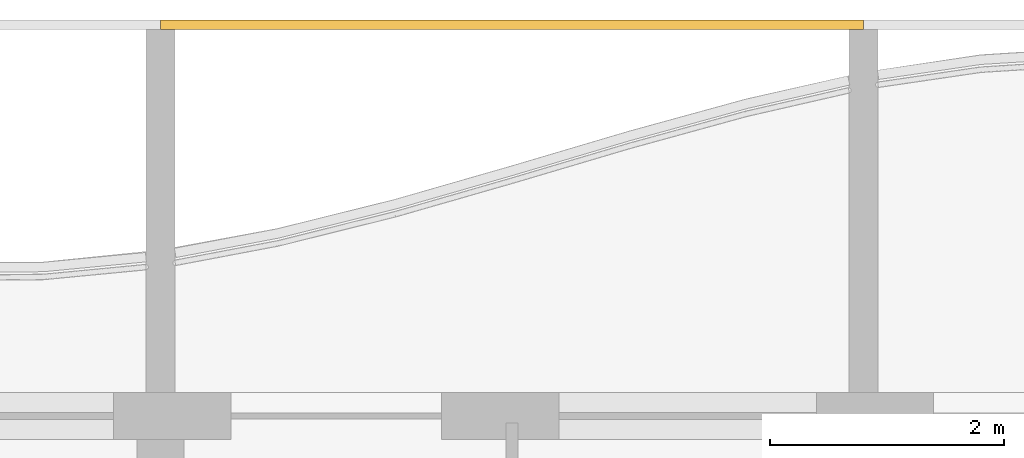
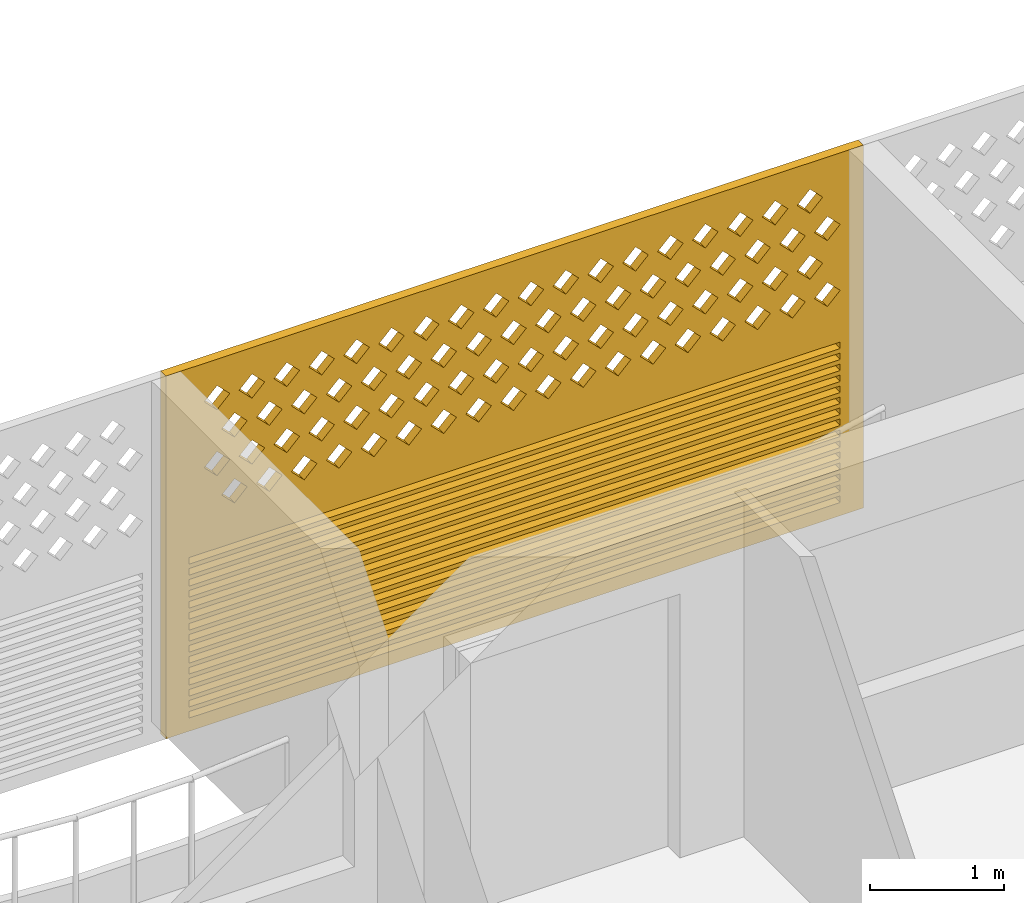
# One storey, part 37 of 39: 1 covering.
"""IFC4 building model written with IfcOpenShell, lengths in metres."""

from ifc_helpers import new_model, si_unit, direction, frame, origin, place, context, subcontext, project, spatial, polyline, outline, extrude, source, transform, mapped, material, material_profile, profile_set, type_object, element, save


model = new_model("IFC4")

# Units and contexts
model_context = context("Model", 3, precision=1e-05, world=origin(), true_north=direction((0.0, 1.0)))
body_context = subcontext(model_context, "Body", "Model", "MODEL_VIEW")
ifc_project = project(units=[si_unit("LENGTHUNIT", "METRE"), si_unit("AREAUNIT", "SQUARE_METRE"), si_unit("VOLUMEUNIT", "CUBIC_METRE"), si_unit("PLANEANGLEUNIT", "RADIAN"), si_unit("MASSUNIT", "GRAM", prefix="KILO")], contexts=[model_context])

# Site, building, storey
site_placement = place(None, origin())
site = spatial("IfcSite", under=ifc_project, at=site_placement, CompositionType="ELEMENT")
building_placement = place(site_placement, origin())
building = spatial("IfcBuilding", under=site, at=building_placement, Name="Poui Terraces", CompositionType="ELEMENT")
storey_placement = place(building_placement, frame((0.0, 0.0, 59.699951171875)))
storey = spatial("IfcBuildingStorey", under=building, at=storey_placement, Name="L16", CompositionType="ELEMENT", Elevation=59.699951171875)

# Covering
ifc_material = material(Name="Terracotta screen", Category="masonry")
ifc_material_profile = material_profile(ifc_material, outline(polyline([(-3.0, -1.64990234375), (3.0, -1.64990234375), (3.0, 1.64990234375), (-3.0, 1.64990234375), (-3.0, -1.64990234375)]), holes=[polyline([(-2.800048828125, 0.39990234375), (-2.68994140625, 0.2900390625), (-2.580078125, 0.39990234375), (-2.68994140625, 0.510009765625), (-2.800048828125, 0.39990234375)]), polyline([(-2.5, 0.39990234375), (-2.389892578125, 0.2900390625), (-2.280029296875, 0.39990234375), (-2.389892578125, 0.510009765625), (-2.5, 0.39990234375)]), polyline([(-2.199951171875, 0.39990234375), (-2.090087890625, 0.2900390625), (-1.97998046875, 0.39990234375), (-2.090087890625, 0.510009765625), (-2.199951171875, 0.39990234375)]), polyline([(-1.89990234375, 0.39990234375), (-1.7900390625, 0.2900390625), (-1.679931640625, 0.39990234375), (-1.7900390625, 0.510009765625), (-1.89990234375, 0.39990234375)]), polyline([(-1.60009765625, 0.39990234375), (-1.489990234375, 0.2900390625), (-1.3798828125, 0.39990234375), (-1.489990234375, 0.510009765625), (-1.60009765625, 0.39990234375)]), polyline([(-1.300048828125, 0.39990234375), (-1.18994140625, 0.2900390625), (-1.080078125, 0.39990234375), (-1.18994140625, 0.510009765625), (-1.300048828125, 0.39990234375)]), polyline([(-1.0, 0.39990234375), (-0.889892578125, 0.2900390625), (-0.780029296875, 0.39990234375), (-0.889892578125, 0.510009765625), (-1.0, 0.39990234375)]), polyline([(-0.699951171875, 0.39990234375), (-0.590087890625, 0.2900390625), (-0.47998046875, 0.39990234375), (-0.590087890625, 0.510009765625), (-0.699951171875, 0.39990234375)]), polyline([(-0.39990234375, 0.39990234375), (-0.2900390625, 0.2900390625), (-0.179931640625, 0.39990234375), (-0.2900390625, 0.510009765625), (-0.39990234375, 0.39990234375)]), polyline([(-0.10009765625, 0.39990234375), (0.010009765625, 0.2900390625), (0.1201171875, 0.39990234375), (0.010009765625, 0.510009765625), (-0.10009765625, 0.39990234375)]), polyline([(0.199951171875, 0.39990234375), (0.31005859375, 0.2900390625), (0.419921875, 0.39990234375), (0.31005859375, 0.510009765625), (0.199951171875, 0.39990234375)]), polyline([(0.5, 0.39990234375), (0.610107421875, 0.2900390625), (0.719970703125, 0.39990234375), (0.610107421875, 0.510009765625), (0.5, 0.39990234375)]), polyline([(0.800048828125, 0.39990234375), (0.909912109375, 0.2900390625), (1.02001953125, 0.39990234375), (0.909912109375, 0.510009765625), (0.800048828125, 0.39990234375)]), polyline([(1.10009765625, 0.39990234375), (1.2099609375, 0.2900390625), (1.320068359375, 0.39990234375), (1.2099609375, 0.510009765625), (1.10009765625, 0.39990234375)]), polyline([(1.39990234375, 0.39990234375), (1.510009765625, 0.2900390625), (1.6201171875, 0.39990234375), (1.510009765625, 0.510009765625), (1.39990234375, 0.39990234375)]), polyline([(1.699951171875, 0.39990234375), (1.81005859375, 0.2900390625), (1.919921875, 0.39990234375), (1.81005859375, 0.510009765625), (1.699951171875, 0.39990234375)]), polyline([(2.0, 0.39990234375), (2.110107421875, 0.2900390625), (2.219970703125, 0.39990234375), (2.110107421875, 0.510009765625), (2.0, 0.39990234375)]), polyline([(2.300048828125, 0.39990234375), (2.409912109375, 0.2900390625), (2.52001953125, 0.39990234375), (2.409912109375, 0.510009765625), (2.300048828125, 0.39990234375)]), polyline([(-2.64990234375, 0.699951171875), (-2.5400390625, 0.590087890625), (-2.429931640625, 0.699951171875), (-2.5400390625, 0.81005859375), (-2.64990234375, 0.699951171875)]), polyline([(-2.35009765625, 0.699951171875), (-2.239990234375, 0.590087890625), (-2.1298828125, 0.699951171875), (-2.239990234375, 0.81005859375), (-2.35009765625, 0.699951171875)]), polyline([(-2.050048828125, 0.699951171875), (-1.93994140625, 0.590087890625), (-1.830078125, 0.699951171875), (-1.93994140625, 0.81005859375), (-2.050048828125, 0.699951171875)]), polyline([(-1.75, 0.699951171875), (-1.639892578125, 0.590087890625), (-1.530029296875, 0.699951171875), (-1.639892578125, 0.81005859375), (-1.75, 0.699951171875)]), polyline([(-1.449951171875, 0.699951171875), (-1.340087890625, 0.590087890625), (-1.22998046875, 0.699951171875), (-1.340087890625, 0.81005859375), (-1.449951171875, 0.699951171875)]), polyline([(-1.14990234375, 0.699951171875), (-1.0400390625, 0.590087890625), (-0.929931640625, 0.699951171875), (-1.0400390625, 0.81005859375), (-1.14990234375, 0.699951171875)]), polyline([(-0.85009765625, 0.699951171875), (-0.739990234375, 0.590087890625), (-0.6298828125, 0.699951171875), (-0.739990234375, 0.81005859375), (-0.85009765625, 0.699951171875)]), polyline([(-0.550048828125, 0.699951171875), (-0.43994140625, 0.590087890625), (-0.330078125, 0.699951171875), (-0.43994140625, 0.81005859375), (-0.550048828125, 0.699951171875)]), polyline([(-0.25, 0.699951171875), (-0.139892578125, 0.590087890625), (-0.030029296875, 0.699951171875), (-0.139892578125, 0.81005859375), (-0.25, 0.699951171875)]), polyline([(0.050048828125, 0.699951171875), (0.159912109375, 0.590087890625), (0.27001953125, 0.699951171875), (0.159912109375, 0.81005859375), (0.050048828125, 0.699951171875)]), polyline([(0.35009765625, 0.699951171875), (0.4599609375, 0.590087890625), (0.570068359375, 0.699951171875), (0.4599609375, 0.81005859375), (0.35009765625, 0.699951171875)]), polyline([(0.64990234375, 0.699951171875), (0.760009765625, 0.590087890625), (0.8701171875, 0.699951171875), (0.760009765625, 0.81005859375), (0.64990234375, 0.699951171875)]), polyline([(0.949951171875, 0.699951171875), (1.06005859375, 0.590087890625), (1.169921875, 0.699951171875), (1.06005859375, 0.81005859375), (0.949951171875, 0.699951171875)]), polyline([(1.25, 0.699951171875), (1.360107421875, 0.590087890625), (1.469970703125, 0.699951171875), (1.360107421875, 0.81005859375), (1.25, 0.699951171875)]), polyline([(1.550048828125, 0.699951171875), (1.659912109375, 0.590087890625), (1.77001953125, 0.699951171875), (1.659912109375, 0.81005859375), (1.550048828125, 0.699951171875)]), polyline([(1.85009765625, 0.699951171875), (1.9599609375, 0.590087890625), (2.070068359375, 0.699951171875), (1.9599609375, 0.81005859375), (1.85009765625, 0.699951171875)]), polyline([(2.14990234375, 0.699951171875), (2.260009765625, 0.590087890625), (2.3701171875, 0.699951171875), (2.260009765625, 0.81005859375), (2.14990234375, 0.699951171875)]), polyline([(2.449951171875, 0.699951171875), (2.56005859375, 0.590087890625), (2.669921875, 0.699951171875), (2.56005859375, 0.81005859375), (2.449951171875, 0.699951171875)]), polyline([(-2.800048828125, 1.0), (-2.68994140625, 0.889892578125), (-2.580078125, 1.0), (-2.68994140625, 1.110107421875), (-2.800048828125, 1.0)]), polyline([(-2.5, 1.0), (-2.389892578125, 0.889892578125), (-2.280029296875, 1.0), (-2.389892578125, 1.110107421875), (-2.5, 1.0)]), polyline([(-2.199951171875, 1.0), (-2.090087890625, 0.889892578125), (-1.97998046875, 1.0), (-2.090087890625, 1.110107421875), (-2.199951171875, 1.0)]), polyline([(-1.89990234375, 1.0), (-1.7900390625, 0.889892578125), (-1.679931640625, 1.0), (-1.7900390625, 1.110107421875), (-1.89990234375, 1.0)]), polyline([(-1.60009765625, 1.0), (-1.489990234375, 0.889892578125), (-1.3798828125, 1.0), (-1.489990234375, 1.110107421875), (-1.60009765625, 1.0)]), polyline([(-1.300048828125, 1.0), (-1.18994140625, 0.889892578125), (-1.080078125, 1.0), (-1.18994140625, 1.110107421875), (-1.300048828125, 1.0)]), polyline([(-1.0, 1.0), (-0.889892578125, 0.889892578125), (-0.780029296875, 1.0), (-0.889892578125, 1.110107421875), (-1.0, 1.0)]), polyline([(-0.699951171875, 1.0), (-0.590087890625, 0.889892578125), (-0.47998046875, 1.0), (-0.590087890625, 1.110107421875), (-0.699951171875, 1.0)]), polyline([(-0.39990234375, 1.0), (-0.2900390625, 0.889892578125), (-0.179931640625, 1.0), (-0.2900390625, 1.110107421875), (-0.39990234375, 1.0)]), polyline([(-0.10009765625, 1.0), (0.010009765625, 0.889892578125), (0.1201171875, 1.0), (0.010009765625, 1.110107421875), (-0.10009765625, 1.0)]), polyline([(0.199951171875, 1.0), (0.31005859375, 0.889892578125), (0.419921875, 1.0), (0.31005859375, 1.110107421875), (0.199951171875, 1.0)]), polyline([(0.5, 1.0), (0.610107421875, 0.889892578125), (0.719970703125, 1.0), (0.610107421875, 1.110107421875), (0.5, 1.0)]), polyline([(0.800048828125, 1.0), (0.909912109375, 0.889892578125), (1.02001953125, 1.0), (0.909912109375, 1.110107421875), (0.800048828125, 1.0)]), polyline([(1.10009765625, 1.0), (1.2099609375, 0.889892578125), (1.320068359375, 1.0), (1.2099609375, 1.110107421875), (1.10009765625, 1.0)]), polyline([(1.39990234375, 1.0), (1.510009765625, 0.889892578125), (1.6201171875, 1.0), (1.510009765625, 1.110107421875), (1.39990234375, 1.0)]), polyline([(1.699951171875, 1.0), (1.81005859375, 0.889892578125), (1.919921875, 1.0), (1.81005859375, 1.110107421875), (1.699951171875, 1.0)]), polyline([(2.0, 1.0), (2.110107421875, 0.889892578125), (2.219970703125, 1.0), (2.110107421875, 1.110107421875), (2.0, 1.0)]), polyline([(2.300048828125, 1.0), (2.409912109375, 0.889892578125), (2.52001953125, 1.0), (2.409912109375, 1.110107421875), (2.300048828125, 1.0)]), polyline([(-2.64990234375, 1.300048828125), (-2.5400390625, 1.18994140625), (-2.429931640625, 1.300048828125), (-2.5400390625, 1.409912109375), (-2.64990234375, 1.300048828125)]), polyline([(-2.35009765625, 1.300048828125), (-2.239990234375, 1.18994140625), (-2.1298828125, 1.300048828125), (-2.239990234375, 1.409912109375), (-2.35009765625, 1.300048828125)]), polyline([(-2.050048828125, 1.300048828125), (-1.93994140625, 1.18994140625), (-1.830078125, 1.300048828125), (-1.93994140625, 1.409912109375), (-2.050048828125, 1.300048828125)]), polyline([(-1.75, 1.300048828125), (-1.639892578125, 1.18994140625), (-1.530029296875, 1.300048828125), (-1.639892578125, 1.409912109375), (-1.75, 1.300048828125)]), polyline([(-1.449951171875, 1.300048828125), (-1.340087890625, 1.18994140625), (-1.22998046875, 1.300048828125), (-1.340087890625, 1.409912109375), (-1.449951171875, 1.300048828125)]), polyline([(-1.14990234375, 1.300048828125), (-1.0400390625, 1.18994140625), (-0.929931640625, 1.300048828125), (-1.0400390625, 1.409912109375), (-1.14990234375, 1.300048828125)]), polyline([(-0.85009765625, 1.300048828125), (-0.739990234375, 1.18994140625), (-0.6298828125, 1.300048828125), (-0.739990234375, 1.409912109375), (-0.85009765625, 1.300048828125)]), polyline([(-0.550048828125, 1.300048828125), (-0.43994140625, 1.18994140625), (-0.330078125, 1.300048828125), (-0.43994140625, 1.409912109375), (-0.550048828125, 1.300048828125)]), polyline([(-0.25, 1.300048828125), (-0.139892578125, 1.18994140625), (-0.030029296875, 1.300048828125), (-0.139892578125, 1.409912109375), (-0.25, 1.300048828125)]), polyline([(0.050048828125, 1.300048828125), (0.159912109375, 1.18994140625), (0.27001953125, 1.300048828125), (0.159912109375, 1.409912109375), (0.050048828125, 1.300048828125)]), polyline([(0.35009765625, 1.300048828125), (0.4599609375, 1.18994140625), (0.570068359375, 1.300048828125), (0.4599609375, 1.409912109375), (0.35009765625, 1.300048828125)]), polyline([(0.64990234375, 1.300048828125), (0.760009765625, 1.18994140625), (0.8701171875, 1.300048828125), (0.760009765625, 1.409912109375), (0.64990234375, 1.300048828125)]), polyline([(0.949951171875, 1.300048828125), (1.06005859375, 1.18994140625), (1.169921875, 1.300048828125), (1.06005859375, 1.409912109375), (0.949951171875, 1.300048828125)]), polyline([(1.25, 1.300048828125), (1.360107421875, 1.18994140625), (1.469970703125, 1.300048828125), (1.360107421875, 1.409912109375), (1.25, 1.300048828125)]), polyline([(1.550048828125, 1.300048828125), (1.659912109375, 1.18994140625), (1.77001953125, 1.300048828125), (1.659912109375, 1.409912109375), (1.550048828125, 1.300048828125)]), polyline([(1.85009765625, 1.300048828125), (1.9599609375, 1.18994140625), (2.070068359375, 1.300048828125), (1.9599609375, 1.409912109375), (1.85009765625, 1.300048828125)]), polyline([(2.14990234375, 1.300048828125), (2.260009765625, 1.18994140625), (2.3701171875, 1.300048828125), (2.260009765625, 1.409912109375), (2.14990234375, 1.300048828125)]), polyline([(2.449951171875, 1.300048828125), (2.56005859375, 1.18994140625), (2.669921875, 1.300048828125), (2.56005859375, 1.409912109375), (2.449951171875, 1.300048828125)]), polyline([(-2.800048828125, -1.530029296875), (2.800048828125, -1.530029296875), (2.800048828125, -1.469970703125), (-2.800048828125, -1.469970703125), (-2.800048828125, -1.530029296875)]), polyline([(-2.800048828125, -1.429931640625), (2.800048828125, -1.429931640625), (2.800048828125, -1.3701171875), (-2.800048828125, -1.3701171875), (-2.800048828125, -1.429931640625)]), polyline([(-2.800048828125, -1.330078125), (2.800048828125, -1.330078125), (2.800048828125, -1.27001953125), (-2.800048828125, -1.27001953125), (-2.800048828125, -1.330078125)]), polyline([(-2.800048828125, -1.22998046875), (2.800048828125, -1.22998046875), (2.800048828125, -1.169921875), (-2.800048828125, -1.169921875), (-2.800048828125, -1.22998046875)]), polyline([(-2.800048828125, -1.1298828125), (2.800048828125, -1.1298828125), (2.800048828125, -1.070068359375), (-2.800048828125, -1.070068359375), (-2.800048828125, -1.1298828125)]), polyline([(-2.800048828125, -1.030029296875), (2.800048828125, -1.030029296875), (2.800048828125, -0.969970703125), (-2.800048828125, -0.969970703125), (-2.800048828125, -1.030029296875)]), polyline([(-2.800048828125, -0.929931640625), (2.800048828125, -0.929931640625), (2.800048828125, -0.8701171875), (-2.800048828125, -0.8701171875), (-2.800048828125, -0.929931640625)]), polyline([(-2.800048828125, -0.830078125), (2.800048828125, -0.830078125), (2.800048828125, -0.77001953125), (-2.800048828125, -0.77001953125), (-2.800048828125, -0.830078125)]), polyline([(-2.800048828125, -0.72998046875), (2.800048828125, -0.72998046875), (2.800048828125, -0.669921875), (-2.800048828125, -0.669921875), (-2.800048828125, -0.72998046875)]), polyline([(-2.800048828125, -0.6298828125), (2.800048828125, -0.6298828125), (2.800048828125, -0.570068359375), (-2.800048828125, -0.570068359375), (-2.800048828125, -0.6298828125)]), polyline([(-2.800048828125, -0.530029296875), (2.800048828125, -0.530029296875), (2.800048828125, -0.469970703125), (-2.800048828125, -0.469970703125), (-2.800048828125, -0.530029296875)]), polyline([(-2.800048828125, -0.429931640625), (2.800048828125, -0.429931640625), (2.800048828125, -0.3701171875), (-2.800048828125, -0.3701171875), (-2.800048828125, -0.429931640625)]), polyline([(-2.800048828125, -0.330078125), (2.800048828125, -0.330078125), (2.800048828125, -0.27001953125), (-2.800048828125, -0.27001953125), (-2.800048828125, -0.330078125)]), polyline([(-2.800048828125, -0.22998046875), (2.800048828125, -0.22998046875), (2.800048828125, -0.169921875), (-2.800048828125, -0.169921875), (-2.800048828125, -0.22998046875)]), polyline([(-2.800048828125, -0.1298828125), (2.800048828125, -0.1298828125), (2.800048828125, -0.070068359375), (-2.800048828125, -0.070068359375), (-2.800048828125, -0.1298828125)])]), Name="TERRACOTTA SCREEN AND JALOUSIE LOUVRE 6000X3300")
ifc_profile_set = profile_set([ifc_material_profile], Name="Terracotta screen")
covering_type = type_object("IfcCoveringType", Name="TERRACOTTA SCREEN AND JALOUSIE LOUVRE 6000X3300", PredefinedType="CLADDING", material=ifc_profile_set)
shared_shape = source(origin(), body_context, "Body", "SweptSolid", [
    extrude(outline(polyline([(-3.0, -1.64990234375), (3.0, -1.64990234375), (3.0, 1.64990234375), (-3.0, 1.64990234375), (-3.0, -1.64990234375)]), holes=[polyline([(-2.800048828125, 0.39990234375), (-2.68994140625, 0.2900390625), (-2.580078125, 0.39990234375), (-2.68994140625, 0.510009765625), (-2.800048828125, 0.39990234375)]), polyline([(-2.5, 0.39990234375), (-2.389892578125, 0.2900390625), (-2.280029296875, 0.39990234375), (-2.389892578125, 0.510009765625), (-2.5, 0.39990234375)]), polyline([(-2.199951171875, 0.39990234375), (-2.090087890625, 0.2900390625), (-1.97998046875, 0.39990234375), (-2.090087890625, 0.510009765625), (-2.199951171875, 0.39990234375)]), polyline([(-1.89990234375, 0.39990234375), (-1.7900390625, 0.2900390625), (-1.679931640625, 0.39990234375), (-1.7900390625, 0.510009765625), (-1.89990234375, 0.39990234375)]), polyline([(-1.60009765625, 0.39990234375), (-1.489990234375, 0.2900390625), (-1.3798828125, 0.39990234375), (-1.489990234375, 0.510009765625), (-1.60009765625, 0.39990234375)]), polyline([(-1.300048828125, 0.39990234375), (-1.18994140625, 0.2900390625), (-1.080078125, 0.39990234375), (-1.18994140625, 0.510009765625), (-1.300048828125, 0.39990234375)]), polyline([(-1.0, 0.39990234375), (-0.889892578125, 0.2900390625), (-0.780029296875, 0.39990234375), (-0.889892578125, 0.510009765625), (-1.0, 0.39990234375)]), polyline([(-0.699951171875, 0.39990234375), (-0.590087890625, 0.2900390625), (-0.47998046875, 0.39990234375), (-0.590087890625, 0.510009765625), (-0.699951171875, 0.39990234375)]), polyline([(-0.39990234375, 0.39990234375), (-0.2900390625, 0.2900390625), (-0.179931640625, 0.39990234375), (-0.2900390625, 0.510009765625), (-0.39990234375, 0.39990234375)]), polyline([(-0.10009765625, 0.39990234375), (0.010009765625, 0.2900390625), (0.1201171875, 0.39990234375), (0.010009765625, 0.510009765625), (-0.10009765625, 0.39990234375)]), polyline([(0.199951171875, 0.39990234375), (0.31005859375, 0.2900390625), (0.419921875, 0.39990234375), (0.31005859375, 0.510009765625), (0.199951171875, 0.39990234375)]), polyline([(0.5, 0.39990234375), (0.610107421875, 0.2900390625), (0.719970703125, 0.39990234375), (0.610107421875, 0.510009765625), (0.5, 0.39990234375)]), polyline([(0.800048828125, 0.39990234375), (0.909912109375, 0.2900390625), (1.02001953125, 0.39990234375), (0.909912109375, 0.510009765625), (0.800048828125, 0.39990234375)]), polyline([(1.10009765625, 0.39990234375), (1.2099609375, 0.2900390625), (1.320068359375, 0.39990234375), (1.2099609375, 0.510009765625), (1.10009765625, 0.39990234375)]), polyline([(1.39990234375, 0.39990234375), (1.510009765625, 0.2900390625), (1.6201171875, 0.39990234375), (1.510009765625, 0.510009765625), (1.39990234375, 0.39990234375)]), polyline([(1.699951171875, 0.39990234375), (1.81005859375, 0.2900390625), (1.919921875, 0.39990234375), (1.81005859375, 0.510009765625), (1.699951171875, 0.39990234375)]), polyline([(2.0, 0.39990234375), (2.110107421875, 0.2900390625), (2.219970703125, 0.39990234375), (2.110107421875, 0.510009765625), (2.0, 0.39990234375)]), polyline([(2.300048828125, 0.39990234375), (2.409912109375, 0.2900390625), (2.52001953125, 0.39990234375), (2.409912109375, 0.510009765625), (2.300048828125, 0.39990234375)]), polyline([(-2.64990234375, 0.699951171875), (-2.5400390625, 0.590087890625), (-2.429931640625, 0.699951171875), (-2.5400390625, 0.81005859375), (-2.64990234375, 0.699951171875)]), polyline([(-2.35009765625, 0.699951171875), (-2.239990234375, 0.590087890625), (-2.1298828125, 0.699951171875), (-2.239990234375, 0.81005859375), (-2.35009765625, 0.699951171875)]), polyline([(-2.050048828125, 0.699951171875), (-1.93994140625, 0.590087890625), (-1.830078125, 0.699951171875), (-1.93994140625, 0.81005859375), (-2.050048828125, 0.699951171875)]), polyline([(-1.75, 0.699951171875), (-1.639892578125, 0.590087890625), (-1.530029296875, 0.699951171875), (-1.639892578125, 0.81005859375), (-1.75, 0.699951171875)]), polyline([(-1.449951171875, 0.699951171875), (-1.340087890625, 0.590087890625), (-1.22998046875, 0.699951171875), (-1.340087890625, 0.81005859375), (-1.449951171875, 0.699951171875)]), polyline([(-1.14990234375, 0.699951171875), (-1.0400390625, 0.590087890625), (-0.929931640625, 0.699951171875), (-1.0400390625, 0.81005859375), (-1.14990234375, 0.699951171875)]), polyline([(-0.85009765625, 0.699951171875), (-0.739990234375, 0.590087890625), (-0.6298828125, 0.699951171875), (-0.739990234375, 0.81005859375), (-0.85009765625, 0.699951171875)]), polyline([(-0.550048828125, 0.699951171875), (-0.43994140625, 0.590087890625), (-0.330078125, 0.699951171875), (-0.43994140625, 0.81005859375), (-0.550048828125, 0.699951171875)]), polyline([(-0.25, 0.699951171875), (-0.139892578125, 0.590087890625), (-0.030029296875, 0.699951171875), (-0.139892578125, 0.81005859375), (-0.25, 0.699951171875)]), polyline([(0.050048828125, 0.699951171875), (0.159912109375, 0.590087890625), (0.27001953125, 0.699951171875), (0.159912109375, 0.81005859375), (0.050048828125, 0.699951171875)]), polyline([(0.35009765625, 0.699951171875), (0.4599609375, 0.590087890625), (0.570068359375, 0.699951171875), (0.4599609375, 0.81005859375), (0.35009765625, 0.699951171875)]), polyline([(0.64990234375, 0.699951171875), (0.760009765625, 0.590087890625), (0.8701171875, 0.699951171875), (0.760009765625, 0.81005859375), (0.64990234375, 0.699951171875)]), polyline([(0.949951171875, 0.699951171875), (1.06005859375, 0.590087890625), (1.169921875, 0.699951171875), (1.06005859375, 0.81005859375), (0.949951171875, 0.699951171875)]), polyline([(1.25, 0.699951171875), (1.360107421875, 0.590087890625), (1.469970703125, 0.699951171875), (1.360107421875, 0.81005859375), (1.25, 0.699951171875)]), polyline([(1.550048828125, 0.699951171875), (1.659912109375, 0.590087890625), (1.77001953125, 0.699951171875), (1.659912109375, 0.81005859375), (1.550048828125, 0.699951171875)]), polyline([(1.85009765625, 0.699951171875), (1.9599609375, 0.590087890625), (2.070068359375, 0.699951171875), (1.9599609375, 0.81005859375), (1.85009765625, 0.699951171875)]), polyline([(2.14990234375, 0.699951171875), (2.260009765625, 0.590087890625), (2.3701171875, 0.699951171875), (2.260009765625, 0.81005859375), (2.14990234375, 0.699951171875)]), polyline([(2.449951171875, 0.699951171875), (2.56005859375, 0.590087890625), (2.669921875, 0.699951171875), (2.56005859375, 0.81005859375), (2.449951171875, 0.699951171875)]), polyline([(-2.800048828125, 1.0), (-2.68994140625, 0.889892578125), (-2.580078125, 1.0), (-2.68994140625, 1.110107421875), (-2.800048828125, 1.0)]), polyline([(-2.5, 1.0), (-2.389892578125, 0.889892578125), (-2.280029296875, 1.0), (-2.389892578125, 1.110107421875), (-2.5, 1.0)]), polyline([(-2.199951171875, 1.0), (-2.090087890625, 0.889892578125), (-1.97998046875, 1.0), (-2.090087890625, 1.110107421875), (-2.199951171875, 1.0)]), polyline([(-1.89990234375, 1.0), (-1.7900390625, 0.889892578125), (-1.679931640625, 1.0), (-1.7900390625, 1.110107421875), (-1.89990234375, 1.0)]), polyline([(-1.60009765625, 1.0), (-1.489990234375, 0.889892578125), (-1.3798828125, 1.0), (-1.489990234375, 1.110107421875), (-1.60009765625, 1.0)]), polyline([(-1.300048828125, 1.0), (-1.18994140625, 0.889892578125), (-1.080078125, 1.0), (-1.18994140625, 1.110107421875), (-1.300048828125, 1.0)]), polyline([(-1.0, 1.0), (-0.889892578125, 0.889892578125), (-0.780029296875, 1.0), (-0.889892578125, 1.110107421875), (-1.0, 1.0)]), polyline([(-0.699951171875, 1.0), (-0.590087890625, 0.889892578125), (-0.47998046875, 1.0), (-0.590087890625, 1.110107421875), (-0.699951171875, 1.0)]), polyline([(-0.39990234375, 1.0), (-0.2900390625, 0.889892578125), (-0.179931640625, 1.0), (-0.2900390625, 1.110107421875), (-0.39990234375, 1.0)]), polyline([(-0.10009765625, 1.0), (0.010009765625, 0.889892578125), (0.1201171875, 1.0), (0.010009765625, 1.110107421875), (-0.10009765625, 1.0)]), polyline([(0.199951171875, 1.0), (0.31005859375, 0.889892578125), (0.419921875, 1.0), (0.31005859375, 1.110107421875), (0.199951171875, 1.0)]), polyline([(0.5, 1.0), (0.610107421875, 0.889892578125), (0.719970703125, 1.0), (0.610107421875, 1.110107421875), (0.5, 1.0)]), polyline([(0.800048828125, 1.0), (0.909912109375, 0.889892578125), (1.02001953125, 1.0), (0.909912109375, 1.110107421875), (0.800048828125, 1.0)]), polyline([(1.10009765625, 1.0), (1.2099609375, 0.889892578125), (1.320068359375, 1.0), (1.2099609375, 1.110107421875), (1.10009765625, 1.0)]), polyline([(1.39990234375, 1.0), (1.510009765625, 0.889892578125), (1.6201171875, 1.0), (1.510009765625, 1.110107421875), (1.39990234375, 1.0)]), polyline([(1.699951171875, 1.0), (1.81005859375, 0.889892578125), (1.919921875, 1.0), (1.81005859375, 1.110107421875), (1.699951171875, 1.0)]), polyline([(2.0, 1.0), (2.110107421875, 0.889892578125), (2.219970703125, 1.0), (2.110107421875, 1.110107421875), (2.0, 1.0)]), polyline([(2.300048828125, 1.0), (2.409912109375, 0.889892578125), (2.52001953125, 1.0), (2.409912109375, 1.110107421875), (2.300048828125, 1.0)]), polyline([(-2.64990234375, 1.300048828125), (-2.5400390625, 1.18994140625), (-2.429931640625, 1.300048828125), (-2.5400390625, 1.409912109375), (-2.64990234375, 1.300048828125)]), polyline([(-2.35009765625, 1.300048828125), (-2.239990234375, 1.18994140625), (-2.1298828125, 1.300048828125), (-2.239990234375, 1.409912109375), (-2.35009765625, 1.300048828125)]), polyline([(-2.050048828125, 1.300048828125), (-1.93994140625, 1.18994140625), (-1.830078125, 1.300048828125), (-1.93994140625, 1.409912109375), (-2.050048828125, 1.300048828125)]), polyline([(-1.75, 1.300048828125), (-1.639892578125, 1.18994140625), (-1.530029296875, 1.300048828125), (-1.639892578125, 1.409912109375), (-1.75, 1.300048828125)]), polyline([(-1.449951171875, 1.300048828125), (-1.340087890625, 1.18994140625), (-1.22998046875, 1.300048828125), (-1.340087890625, 1.409912109375), (-1.449951171875, 1.300048828125)]), polyline([(-1.14990234375, 1.300048828125), (-1.0400390625, 1.18994140625), (-0.929931640625, 1.300048828125), (-1.0400390625, 1.409912109375), (-1.14990234375, 1.300048828125)]), polyline([(-0.85009765625, 1.300048828125), (-0.739990234375, 1.18994140625), (-0.6298828125, 1.300048828125), (-0.739990234375, 1.409912109375), (-0.85009765625, 1.300048828125)]), polyline([(-0.550048828125, 1.300048828125), (-0.43994140625, 1.18994140625), (-0.330078125, 1.300048828125), (-0.43994140625, 1.409912109375), (-0.550048828125, 1.300048828125)]), polyline([(-0.25, 1.300048828125), (-0.139892578125, 1.18994140625), (-0.030029296875, 1.300048828125), (-0.139892578125, 1.409912109375), (-0.25, 1.300048828125)]), polyline([(0.050048828125, 1.300048828125), (0.159912109375, 1.18994140625), (0.27001953125, 1.300048828125), (0.159912109375, 1.409912109375), (0.050048828125, 1.300048828125)]), polyline([(0.35009765625, 1.300048828125), (0.4599609375, 1.18994140625), (0.570068359375, 1.300048828125), (0.4599609375, 1.409912109375), (0.35009765625, 1.300048828125)]), polyline([(0.64990234375, 1.300048828125), (0.760009765625, 1.18994140625), (0.8701171875, 1.300048828125), (0.760009765625, 1.409912109375), (0.64990234375, 1.300048828125)]), polyline([(0.949951171875, 1.300048828125), (1.06005859375, 1.18994140625), (1.169921875, 1.300048828125), (1.06005859375, 1.409912109375), (0.949951171875, 1.300048828125)]), polyline([(1.25, 1.300048828125), (1.360107421875, 1.18994140625), (1.469970703125, 1.300048828125), (1.360107421875, 1.409912109375), (1.25, 1.300048828125)]), polyline([(1.550048828125, 1.300048828125), (1.659912109375, 1.18994140625), (1.77001953125, 1.300048828125), (1.659912109375, 1.409912109375), (1.550048828125, 1.300048828125)]), polyline([(1.85009765625, 1.300048828125), (1.9599609375, 1.18994140625), (2.070068359375, 1.300048828125), (1.9599609375, 1.409912109375), (1.85009765625, 1.300048828125)]), polyline([(2.14990234375, 1.300048828125), (2.260009765625, 1.18994140625), (2.3701171875, 1.300048828125), (2.260009765625, 1.409912109375), (2.14990234375, 1.300048828125)]), polyline([(2.449951171875, 1.300048828125), (2.56005859375, 1.18994140625), (2.669921875, 1.300048828125), (2.56005859375, 1.409912109375), (2.449951171875, 1.300048828125)]), polyline([(-2.800048828125, -1.530029296875), (2.800048828125, -1.530029296875), (2.800048828125, -1.469970703125), (-2.800048828125, -1.469970703125), (-2.800048828125, -1.530029296875)]), polyline([(-2.800048828125, -1.429931640625), (2.800048828125, -1.429931640625), (2.800048828125, -1.3701171875), (-2.800048828125, -1.3701171875), (-2.800048828125, -1.429931640625)]), polyline([(-2.800048828125, -1.330078125), (2.800048828125, -1.330078125), (2.800048828125, -1.27001953125), (-2.800048828125, -1.27001953125), (-2.800048828125, -1.330078125)]), polyline([(-2.800048828125, -1.22998046875), (2.800048828125, -1.22998046875), (2.800048828125, -1.169921875), (-2.800048828125, -1.169921875), (-2.800048828125, -1.22998046875)]), polyline([(-2.800048828125, -1.1298828125), (2.800048828125, -1.1298828125), (2.800048828125, -1.070068359375), (-2.800048828125, -1.070068359375), (-2.800048828125, -1.1298828125)]), polyline([(-2.800048828125, -1.030029296875), (2.800048828125, -1.030029296875), (2.800048828125, -0.969970703125), (-2.800048828125, -0.969970703125), (-2.800048828125, -1.030029296875)]), polyline([(-2.800048828125, -0.929931640625), (2.800048828125, -0.929931640625), (2.800048828125, -0.8701171875), (-2.800048828125, -0.8701171875), (-2.800048828125, -0.929931640625)]), polyline([(-2.800048828125, -0.830078125), (2.800048828125, -0.830078125), (2.800048828125, -0.77001953125), (-2.800048828125, -0.77001953125), (-2.800048828125, -0.830078125)]), polyline([(-2.800048828125, -0.72998046875), (2.800048828125, -0.72998046875), (2.800048828125, -0.669921875), (-2.800048828125, -0.669921875), (-2.800048828125, -0.72998046875)]), polyline([(-2.800048828125, -0.6298828125), (2.800048828125, -0.6298828125), (2.800048828125, -0.570068359375), (-2.800048828125, -0.570068359375), (-2.800048828125, -0.6298828125)]), polyline([(-2.800048828125, -0.530029296875), (2.800048828125, -0.530029296875), (2.800048828125, -0.469970703125), (-2.800048828125, -0.469970703125), (-2.800048828125, -0.530029296875)]), polyline([(-2.800048828125, -0.429931640625), (2.800048828125, -0.429931640625), (2.800048828125, -0.3701171875), (-2.800048828125, -0.3701171875), (-2.800048828125, -0.429931640625)]), polyline([(-2.800048828125, -0.330078125), (2.800048828125, -0.330078125), (2.800048828125, -0.27001953125), (-2.800048828125, -0.27001953125), (-2.800048828125, -0.330078125)]), polyline([(-2.800048828125, -0.22998046875), (2.800048828125, -0.22998046875), (2.800048828125, -0.169921875), (-2.800048828125, -0.169921875), (-2.800048828125, -0.22998046875)]), polyline([(-2.800048828125, -0.1298828125), (2.800048828125, -0.1298828125), (2.800048828125, -0.070068359375), (-2.800048828125, -0.070068359375), (-2.800048828125, -0.1298828125)])]), origin(), (0.0, 0.0, 1.0), 0.079833984375),
])
covering_placement = place(storey_placement, frame((75.0, 48.10009765625, 1.449951171875), z_axis=(0.0, 1.0, 0.0), x_axis=(-1.0, 0.0, 0.0)))
element("IfcCovering", 1, at=covering_placement, inside=storey, type_object=covering_type, Name="SOLAR SCREEN AND JALOUSIE LOUVRE", PredefinedType="CLADDING", context=body_context, shape_type="MappedRepresentation", body=[
    mapped(shared_shape, transform((0.0, 0.0, 0.0))),
])

save(model, "model.ifc")
